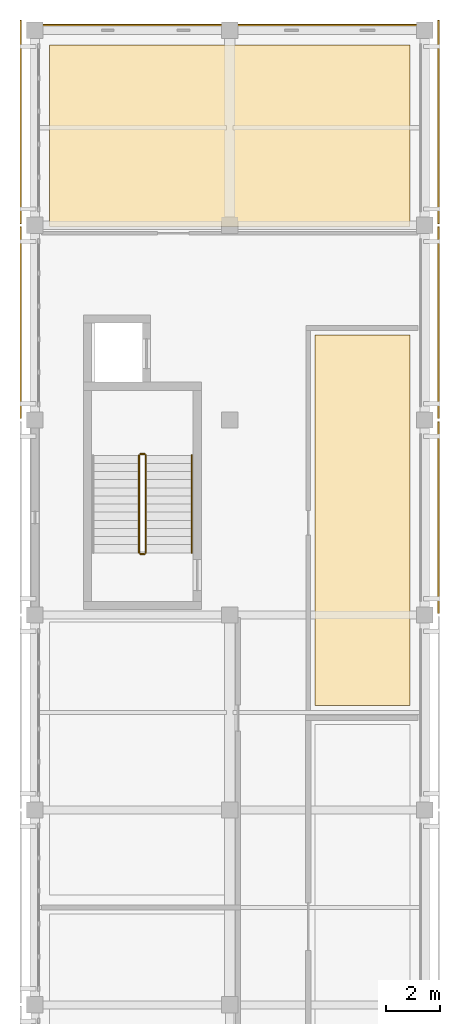
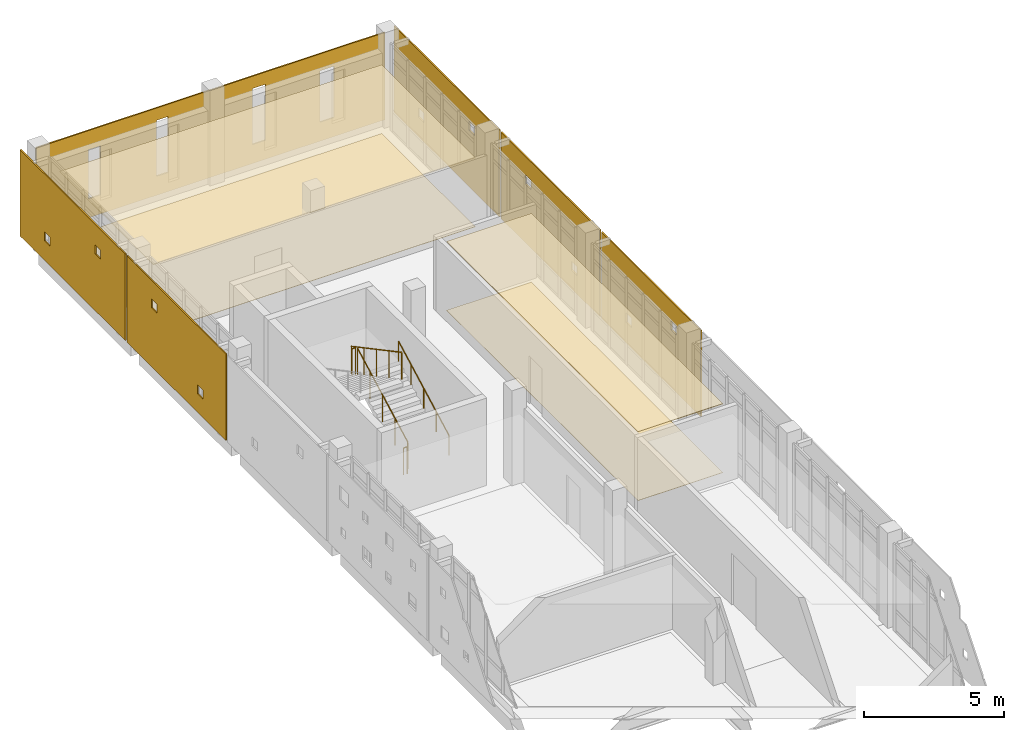
# One storey, part 21 of 21: 10 coverings, 5 railings.
"""IFC4 building model written with IfcOpenShell, lengths in metres."""

from ifc_helpers import new_model, si_unit, direction, frame, origin, origin_2d, place, context, subcontext, project, spatial, polyline, circle, outline, extrude, material, layer, layer_set, type_object, element, save


model = new_model("IFC4")

# Units and contexts
model_context = context("Model", 3, precision=1e-05, world=origin(), true_north=direction((0.0, 1.0)))
body_context = subcontext(model_context, "Body", "Model", "MODEL_VIEW")
ifc_project = project(units=[si_unit("LENGTHUNIT", "METRE"), si_unit("AREAUNIT", "SQUARE_METRE"), si_unit("VOLUMEUNIT", "CUBIC_METRE"), si_unit("PLANEANGLEUNIT", "RADIAN"), si_unit("MASSUNIT", "GRAM", prefix="KILO")], contexts=[model_context])

# Site, building, storey
site_placement = place(None, origin())
site = spatial("IfcSite", under=ifc_project, at=site_placement, CompositionType="ELEMENT")
building_placement = place(site_placement, origin())
building = spatial("IfcBuilding", under=site, at=building_placement, Name="Valkovuoma Quantum and Materials Research Institute", CompositionType="ELEMENT")
storey_placement = place(building_placement, frame((0.0, 0.0, 33.919921875)))
storey = spatial("IfcBuildingStorey", under=building, at=storey_placement, Name="L08", CompositionType="ELEMENT", Elevation=33.919921875)

# Coverings
ifc_material_1 = material(Name="Cleanable acoustic mineral-fibre suspended ceiling", Category="masonry")
ifc_layer_1 = layer(ifc_material_1, 0.02490234375)
ifc_layer_set_1 = layer_set([ifc_layer_1], Name="Cleanable acoustic mineral-fibre suspended ceiling")
covering_type_1 = type_object("IfcCoveringType", Name="Cov-CEIL-01", PredefinedType="CEILING", material=ifc_layer_set_1)
covering_1_placement = place(storey_placement, frame((0.0, 0.0, 3.0)))
element("IfcCovering", 1, at=covering_1_placement, inside=storey, type_object=covering_type_1, Name="L08 acoustic ceiling 0159", PredefinedType="CEILING", context=body_context, shape_type="SweptSolid", body=[
    extrude(outline(polyline([(0.550048828125, 86.35009765625), (13.85009765625, 86.35009765625), (13.85009765625, 93.050048828125), (0.550048828125, 93.050048828125), (0.550048828125, 86.35009765625)])), origin(), (0.0, 0.0, 1.0), 0.025146484375),
])
covering_2_placement = place(storey_placement, frame((0.0, 0.0, 3.0)))
element("IfcCovering", 2, at=covering_2_placement, inside=storey, type_object=covering_type_1, Name="L08 acoustic ceiling 0163", PredefinedType="CEILING", context=body_context, shape_type="SweptSolid", body=[
    extrude(outline(polyline([(10.35009765625, 68.64990234375), (13.85009765625, 68.64990234375), (13.85009765625, 82.35009765625), (10.35009765625, 82.35009765625), (10.35009765625, 68.64990234375)])), origin(), (0.0, 0.0, 1.0), 0.025146484375),
])
ifc_material_2 = material(Name="Seamless dissipative laboratory resin flooring", Category="masonry")
ifc_layer_2 = layer(ifc_material_2, 0.014892578125)
ifc_layer_set_2 = layer_set([ifc_layer_2], Name="Seamless dissipative laboratory resin flooring")
covering_type_2 = type_object("IfcCoveringType", Name="Cov-FLOR-01", PredefinedType="FLOORING", material=ifc_layer_set_2)
covering_3_placement = place(storey_placement, origin())
element("IfcCovering", 3, at=covering_3_placement, inside=storey, type_object=covering_type_2, Name="L08 resin flooring 0159", PredefinedType="FLOORING", context=body_context, shape_type="SweptSolid", body=[
    extrude(outline(polyline([(0.550048828125, 86.35009765625), (13.85009765625, 86.35009765625), (13.85009765625, 93.050048828125), (0.550048828125, 93.050048828125), (0.550048828125, 86.35009765625)])), origin(), (0.0, 0.0, 1.0), 0.01513671875),
])
covering_4_placement = place(storey_placement, origin())
element("IfcCovering", 4, at=covering_4_placement, inside=storey, type_object=covering_type_2, Name="L08 resin flooring 0163", PredefinedType="FLOORING", context=body_context, shape_type="SweptSolid", body=[
    extrude(outline(polyline([(10.35009765625, 68.64990234375), (13.85009765625, 68.64990234375), (13.85009765625, 82.35009765625), (10.35009765625, 82.35009765625), (10.35009765625, 68.64990234375)])), origin(), (0.0, 0.0, 1.0), 0.01513671875),
])
ifc_material_3 = material(Name="White powder-coated aluminium architectural panel", Category="aluminium")
ifc_layer_3 = layer(ifc_material_3, 0.054931640625)
ifc_layer_set_3 = layer_set([ifc_layer_3], Name="White powder-coated aluminium architectural panel")
covering_type_3 = type_object("IfcCoveringType", Name="Cov-PERF-SPARSE", PredefinedType="CLADDING", material=ifc_layer_set_3)
covering_5_placement = place(storey_placement, frame((14.919921875, 72.06005859375, 0.02001953125), z_axis=(0.0, 0.0, 1.0), x_axis=(0.0, 1.0, 0.0)))
element("IfcCovering", 5, at=covering_5_placement, inside=storey, type_object=covering_type_3, Name="L08 graduated perforated white screen E-0131", PredefinedType="CLADDING", context=body_context, shape_type="SweptSolid", body=[
    extrude(outline(polyline([(0.0, 0.0), (7.079833984375, 0.0), (7.079833984375, 3.77001953125), (0.0, 3.77001953125), (0.0, 0.0)]), holes=[polyline([(1.695068359375, 2.517578125), (1.695068359375, 2.91748046875), (2.094970703125, 2.91748046875), (2.094970703125, 2.517578125), (1.695068359375, 2.517578125)]), polyline([(4.925048828125, 0.902587890625), (4.925048828125, 1.302490234375), (5.324951171875, 1.302490234375), (5.324951171875, 0.902587890625), (4.925048828125, 0.902587890625)])]), frame((0.0, 0.02734375, 0.0), z_axis=(0.0, -1.0, 0.0), x_axis=(1.0, 0.0, 0.0)), (0.0, 0.0, 1.0), 0.054931640625),
])
for number, where, z_axis, x_axis, name in (
    (6, (-0.52001953125, 79.260009765625, 0.02001953125), (0.0, 0.0, 1.0), (0.0, 1.0, 0.0), "L08 graduated perforated white screen W-0132"),
    (7, (14.919921875, 79.260009765625, 0.02001953125), (0.0, 0.0, 1.0), (0.0, 1.0, 0.0), "L08 graduated perforated white screen E-0133"),
):
    element("IfcCovering", number, at=place(storey_placement, frame(where, z_axis=z_axis, x_axis=x_axis)), inside=storey, type_object=covering_type_3, Name=name, PredefinedType="CLADDING", context=body_context, shape_type="SweptSolid", body=[
        extrude(outline(polyline([(0.0, 0.0), (7.080078125, 0.0), (7.080078125, 3.77001953125), (0.0, 3.77001953125), (0.0, 0.0)]), holes=[polyline([(1.635009765625, 0.802490234375), (1.635009765625, 1.202392578125), (2.034912109375, 1.202392578125), (2.034912109375, 0.802490234375), (1.635009765625, 0.802490234375)]), polyline([(4.925048828125, 2.5673828125), (4.925048828125, 2.967529296875), (5.324951171875, 2.967529296875), (5.324951171875, 2.5673828125), (4.925048828125, 2.5673828125)])]), frame((0.0, 0.02734375, 0.0), z_axis=(0.0, -1.0, 0.0), x_axis=(1.0, 0.0, 0.0)), (0.0, 0.0, 1.0), 0.054931640625),
    ])
for number, where, z_axis, x_axis, name in (
    (8, (-0.52001953125, 86.4599609375, 0.02001953125), (0.0, 0.0, 1.0), (0.0, 1.0, 0.0), "L08 graduated perforated white screen W-0134"),
    (9, (14.919921875, 86.4599609375, 0.02001953125), (0.0, 0.0, 1.0), (0.0, 1.0, 0.0), "L08 graduated perforated white screen E-0135"),
):
    element("IfcCovering", number, at=place(storey_placement, frame(where, z_axis=z_axis, x_axis=x_axis)), inside=storey, type_object=covering_type_3, Name=name, PredefinedType="CLADDING", context=body_context, shape_type="SweptSolid", body=[
        extrude(outline(polyline([(0.0, 0.0), (7.52001953125, 0.0), (7.52001953125, 3.77001953125), (0.0, 3.77001953125), (0.0, 0.0)]), holes=[polyline([(1.7451171875, 2.467529296875), (1.7451171875, 2.867431640625), (2.14501953125, 2.867431640625), (2.14501953125, 2.467529296875), (1.7451171875, 2.467529296875)]), polyline([(5.375, 0.8525390625), (5.375, 1.25244140625), (5.77490234375, 1.25244140625), (5.77490234375, 0.8525390625), (5.375, 0.8525390625)])]), frame((0.0, 0.02734375, 0.0), z_axis=(0.0, -1.0, 0.0), x_axis=(1.0, 0.0, 0.0)), (0.0, 0.0, 1.0), 0.054931640625),
    ])
ifc_material_4 = material(Name="White powder-coated aluminium architectural panel", Category="aluminium")
ifc_layer_4 = layer(ifc_material_4, 0.054931640625)
ifc_layer_set_4 = layer_set([ifc_layer_4], Name="White powder-coated aluminium architectural panel")
covering_type_4 = type_object("IfcCoveringType", Name="Cov-WHITE-01", PredefinedType="CLADDING", material=ifc_layer_set_4)
covering_6_placement = place(storey_placement, frame((0.0, 93.78759765625, 0.0), z_axis=(0.0, 0.0, 1.0), x_axis=(1.0, 0.0, 0.0)))
element("IfcCovering", 10, at=covering_6_placement, inside=storey, type_object=covering_type_4, Name="L08 north white slot-window end skin", PredefinedType="CLADDING", context=body_context, shape_type="SweptSolid", body=[
    extrude(outline(polyline([(0.0, 0.0), (14.39990234375, 0.0), (14.39990234375, 3.81005859375), (0.0, 3.81005859375), (0.0, 0.0)]), holes=[polyline([(2.155029296875, 0.830078125), (2.155029296875, 2.969970703125), (2.64501953125, 2.969970703125), (2.64501953125, 0.830078125), (2.155029296875, 0.830078125)]), polyline([(4.955078125, 0.830078125), (4.955078125, 3.27001953125), (5.445068359375, 3.27001953125), (5.445068359375, 0.830078125), (4.955078125, 0.830078125)]), polyline([(8.929931640625, 0.830078125), (8.929931640625, 3.27001953125), (9.469970703125, 3.27001953125), (9.469970703125, 0.830078125), (8.929931640625, 0.830078125)]), polyline([(11.705078125, 0.830078125), (11.705078125, 3.070068359375), (12.294921875, 3.070068359375), (12.294921875, 0.830078125), (11.705078125, 0.830078125)])]), frame((0.0, 0.02734375, 0.0), z_axis=(0.0, -1.0, 0.0), x_axis=(1.0, 0.0, 0.0)), (0.0, 0.0, 1.0), 0.054931640625),
])

# Railings
ifc_material_5 = material(Name="Painted steel stair balustrade", Category="steel")
railing_type_1 = type_object("IfcRailingType", Name="Rail-GRD-ST", PredefinedType="BALUSTRADE", material=ifc_material_5)
railing_1_placement = place(storey_placement, frame((4.10009765625, 74.300048828125, 0.16015625)))
element("IfcRailing", 11, at=railing_1_placement, inside=storey, type_object=railing_type_1, Name="L08 ST-2 stair guard 1", PredefinedType="BALUSTRADE", context=body_context, shape_type="SweptSolid", body=[
    extrude(circle(Radius=0.02392578125, at=origin_2d()), frame((0.0, 0.0, 1.17578125), z_axis=(0.0, 0.882352941176, 0.470588235294), x_axis=(-1.0, 0.0, 0.0)), (0.0, 0.0, 1.0), 4.079833984375),
    extrude(circle(Radius=0.02099609375, at=origin_2d()), origin(), (0.0, 0.0, 1.0), 1.15185546875),
    extrude(circle(Radius=0.02099609375, at=origin_2d()), frame((0.0, 0.89990234375, 0.47998046875)), (0.0, 0.0, 1.0), 1.15185546875),
    extrude(circle(Radius=0.02099609375, at=origin_2d()), frame((0.0, 1.7998046875, 0.9599609375)), (0.0, 0.0, 1.0), 1.15185546875),
    extrude(circle(Radius=0.02099609375, at=origin_2d()), frame((0.0, 2.699951171875, 1.43994140625)), (0.0, 0.0, 1.0), 1.15185546875),
    extrude(circle(Radius=0.02099609375, at=origin_2d()), frame((0.0, 3.599853515625, 1.919921875)), (0.0, 0.0, 1.0), 1.15185546875),
])
railing_2_placement = place(storey_placement, frame((4.050048828125, 77.949951171875, 2.080078125)))
element("IfcRailing", 12, at=railing_2_placement, inside=storey, type_object=railing_type_1, Name="L08 ST-2 stair guard 2", PredefinedType="BALUSTRADE", context=body_context, shape_type="SweptSolid", body=[
    extrude(circle(Radius=0.02392578125, at=origin_2d()), frame((0.0, 0.0, 1.17578125), z_axis=(-1.0, 0.0, 0.0), x_axis=(0.0, -1.0, 0.0)), (0.0, 0.0, 1.0), 0.150146484375),
    extrude(circle(Radius=0.02099609375, at=origin_2d()), origin(), (0.0, 0.0, 1.0), 1.15185546875),
    extrude(circle(Radius=0.02099609375, at=origin_2d()), frame((-0.150146484375, 0.0, 0.0)), (0.0, 0.0, 1.0), 1.15185546875),
])
railing_3_placement = place(storey_placement, frame((3.85009765625, 77.89990234375, 2.239990234375)))
element("IfcRailing", 13, at=railing_3_placement, inside=storey, type_object=railing_type_1, Name="L08 ST-2 stair guard 3", PredefinedType="BALUSTRADE", context=body_context, shape_type="SweptSolid", body=[
    extrude(circle(Radius=0.02392578125, at=origin_2d()), frame((0.0, 0.0, 1.17578125), z_axis=(0.0, -0.882328093246, 0.470634822203), x_axis=(1.0, 0.0, 0.0)), (0.0, 0.0, 1.0), 4.079833984375),
    extrude(circle(Radius=0.02099609375, at=origin_2d()), origin(), (0.0, 0.0, 1.0), 1.15185546875),
    extrude(circle(Radius=0.02099609375, at=origin_2d()), frame((0.0, -0.89990234375, 0.47998046875)), (0.0, 0.0, 1.0), 1.15185546875),
    extrude(circle(Radius=0.02099609375, at=origin_2d()), frame((0.0, -1.7998046875, 0.9599609375)), (0.0, 0.0, 1.0), 1.15185546875),
    extrude(circle(Radius=0.02099609375, at=origin_2d()), frame((0.0, -2.699951171875, 1.440185546875)), (0.0, 0.0, 1.0), 1.15185546875),
    extrude(circle(Radius=0.02099609375, at=origin_2d()), frame((0.0, -3.599853515625, 1.920166015625)), (0.0, 0.0, 1.0), 1.15185546875),
])
railing_4_placement = place(storey_placement, frame((4.050048828125, 74.25, 0.0)))
element("IfcRailing", 14, at=railing_4_placement, inside=storey, type_object=railing_type_1, Name="L08 ST-2 stair guard 4", PredefinedType="BALUSTRADE", context=body_context, shape_type="SweptSolid", body=[
    extrude(circle(Radius=0.02392578125, at=origin_2d()), frame((0.0, 0.0, 1.17578125), z_axis=(-1.0, 0.0, 0.0), x_axis=(0.0, -1.0, 0.0)), (0.0, 0.0, 1.0), 0.150146484375),
    extrude(circle(Radius=0.02099609375, at=origin_2d()), origin(), (0.0, 0.0, 1.0), 1.15185546875),
    extrude(circle(Radius=0.02099609375, at=origin_2d()), frame((-0.150146484375, 0.0, 0.0)), (0.0, 0.0, 1.0), 1.15185546875),
])
ifc_material_6 = material(Name="Brushed stainless steel handrail", Category="steel")
railing_type_2 = type_object("IfcRailingType", Name="Rail-HR-ST", PredefinedType="HANDRAIL", material=ifc_material_6)
railing_5_placement = place(storey_placement, frame((5.800048828125, 74.300048828125, 0.16015625)))
element("IfcRailing", 15, at=railing_5_placement, inside=storey, type_object=railing_type_2, Name="L08 ST-2 stair handrail 1", PredefinedType="HANDRAIL", context=body_context, shape_type="SweptSolid", body=[
    extrude(circle(Radius=0.02392578125, at=origin_2d()), frame((0.0, 0.0, 0.8759765625), z_axis=(0.0, 0.882352941176, 0.470588235294), x_axis=(-1.0, 0.0, 0.0)), (0.0, 0.0, 1.0), 4.079833984375),
    extrude(circle(Radius=0.02099609375, at=origin_2d()), origin(), (0.0, 0.0, 1.0), 0.851806640625),
    extrude(circle(Radius=0.02099609375, at=origin_2d()), frame((0.0, 0.89990234375, 0.47998046875)), (0.0, 0.0, 1.0), 0.851806640625),
    extrude(circle(Radius=0.02099609375, at=origin_2d()), frame((0.0, 1.7998046875, 0.9599609375)), (0.0, 0.0, 1.0), 0.851806640625),
    extrude(circle(Radius=0.02099609375, at=origin_2d()), frame((0.0, 2.699951171875, 1.43994140625)), (0.0, 0.0, 1.0), 0.851806640625),
    extrude(circle(Radius=0.02099609375, at=origin_2d()), frame((0.0, 3.599853515625, 1.919921875)), (0.0, 0.0, 1.0), 0.851806640625),
])

save(model, "model.ifc")
